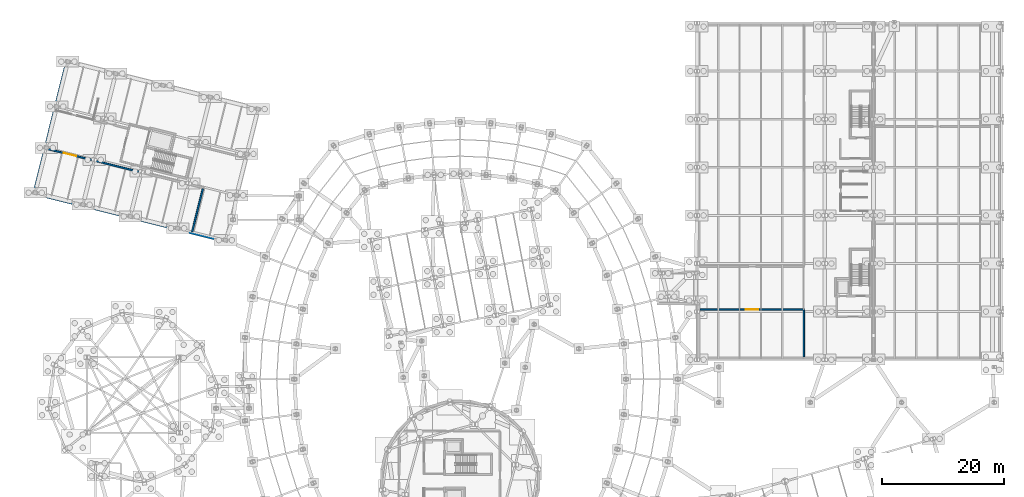
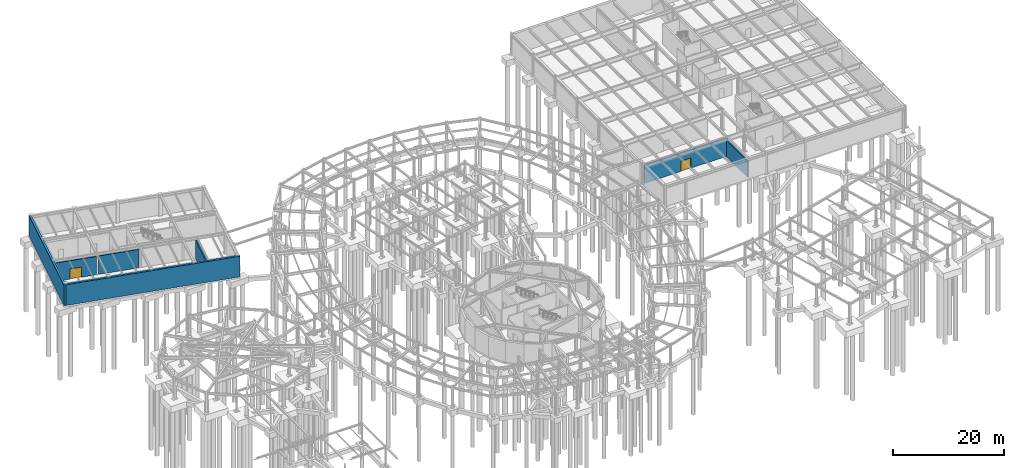
# One storey, part 42 of 50: 7 walls, 2 doors, 2 openings.
"""IFC4 building model written with IfcOpenShell, lengths in metres."""

from ifc_helpers import new_model, si_unit, direction, frame, frame_2d, origin, place, context, subcontext, project, spatial, rectangle, extrude, material, layer, layer_set, type_object, element, fill, save


model = new_model("IFC4")

# Units and contexts
model_context = context("Model", 3, precision=1e-05, world=origin(), true_north=direction((0.0, 1.0)))
body_context = subcontext(model_context, "Body", "Model", "MODEL_VIEW")
ifc_project = project(units=[si_unit("LENGTHUNIT", "METRE"), si_unit("AREAUNIT", "SQUARE_METRE"), si_unit("VOLUMEUNIT", "CUBIC_METRE"), si_unit("PLANEANGLEUNIT", "RADIAN"), si_unit("MASSUNIT", "GRAM", prefix="KILO")], contexts=[model_context])

# Site, building, storey
site_placement = place(None, origin())
site = spatial("IfcSite", under=ifc_project, at=site_placement, CompositionType="ELEMENT")
building_placement = place(site_placement, origin())
building = spatial("IfcBuilding", under=site, at=building_placement, Name="Varnklinge Art Gallery", CompositionType="ELEMENT")
storey_placement = place(building_placement, frame((0.0, 0.0, -4.800048828125)))
storey = spatial("IfcBuildingStorey", under=building, at=storey_placement, Name="B01", CompositionType="ELEMENT", Elevation=-4.800048828125)

# Wall, opening, door
ifc_material_1 = material(Name="Concrete C40/50", Category="concrete")
ifc_layer_1 = layer(ifc_material_1, 0.260009765625)
ifc_layer_set_1 = layer_set([ifc_layer_1], Name="Concrete C40/50")
wall_type_1 = type_object("IfcWallType", Name="IW-26", PredefinedType="PARTITIONING", material=ifc_layer_set_1)
wall_1_placement = place(storey_placement, frame((132.030029296875, 66.469970703125, 0.0), z_axis=(0.0, 0.0, 1.0), x_axis=(-1.0, 0.0, 0.0)))
wall_1 = element("IfcWall", 1, at=wall_1_placement, inside=storey, type_object=wall_type_1, Name="B01 Partition Wall IW-B01-0001", PredefinedType="PARTITIONING", context=body_context, shape_type="SweptSolid", body=[
    extrude(rectangle(XDim=17.166015625, YDim=0.260009765625, at=frame_2d((8.5830078125, 0.0))), origin(), (0.0, 0.0, 1.0), 3.97998046875),
])
opening_1_placement = place(wall_1_placement, frame((7.532958984375, 0.0, 0.0)))
opening_1 = element("IfcOpeningElement", 2, at=opening_1_placement, cuts=wall_1, Name="Opening D-B01-116", PredefinedType="OPENING", context=body_context, shape_type="SweptSolid", body=[
    extrude(rectangle(XDim=2.10009765625, YDim=2.25, at=frame_2d((1.050048828125, 1.125))), frame((0.0, 0.139892578125, 0.0), z_axis=(0.0, -1.0, 0.0), x_axis=(1.0, 0.0, 0.0)), (0.0, 0.0, 1.0), 0.280029296875),
])
ifc_material_2 = material(Name="Galvanised Fire-Rated Steel", Category="steel")
door_type = type_object("IfcDoorType", Name="ID-10", OperationType="DOUBLE_DOOR_SINGLE_SWING", PredefinedType="DOOR", material=ifc_material_2)
door_1_placement = place(opening_1_placement, origin())
door_1 = element("IfcDoor", 3, at=door_1_placement, inside=storey, type_object=door_type, Name="B01 B01 Climate Art Store 1 South Door D-B01-116", OperationType="DOUBLE_DOOR_SINGLE_SWING", OverallHeight=2.25, OverallWidth=2.10009765625, PredefinedType="DOOR", context=body_context, shape_type="SweptSolid", body=[
    extrude(rectangle(XDim=2.10009765625, YDim=2.25, at=frame_2d((1.050048828125, 1.125))), frame((0.0, 0.02490234375, 0.0), z_axis=(0.0, -1.0, 0.0), x_axis=(1.0, 0.0, 0.0)), (0.0, 0.0, 1.0), 0.050048828125),
])
fill(opening_1, door_1)

# Wall
wall_2_placement = place(storey_placement, frame((131.969970703125, 58.6640625, 0.0), z_axis=(0.0, 0.0, 1.0), x_axis=(0.0, 1.0, 0.0)))
element("IfcWall", 4, at=wall_2_placement, inside=storey, type_object=wall_type_1, Name="B01 Partition Wall IW-B01-0004", PredefinedType="PARTITIONING", context=body_context, shape_type="SweptSolid", body=[
    extrude(rectangle(XDim=7.660888671875, YDim=0.260009765625, at=frame_2d((3.83056640625, 0.0))), origin(), (0.0, 0.0, 1.0), 3.530029296875),
])

# Wall, opening, door
wall_3_placement = place(storey_placement, frame((15.1640625, 90.9619140625, 0.0), z_axis=(0.0, 0.0, 1.0), x_axis=(-0.970289717068, 0.24194599594, 0.0)))
wall_3 = element("IfcWall", 5, at=wall_3_placement, inside=storey, type_object=wall_type_1, Name="B01 Partition Wall IW-B01-0026", PredefinedType="PARTITIONING", context=body_context, shape_type="SweptSolid", body=[
    extrude(rectangle(XDim=7.697265625, YDim=0.260009765625, at=frame_2d((3.8486328125, 0.0))), origin(), (0.0, 0.0, 1.0), 4.0400390625),
])
opening_2_placement = place(wall_3_placement, frame((2.798583984375, 0.0, 0.0)))
opening_2 = element("IfcOpeningElement", 6, at=opening_2_placement, cuts=wall_3, Name="Opening D-B01-128", PredefinedType="OPENING", context=body_context, shape_type="SweptSolid", body=[
    extrude(rectangle(XDim=2.10009765625, YDim=2.25, at=frame_2d((1.050048828125, 1.125))), frame((0.0, 0.139892578125, 0.0), z_axis=(0.0, -1.0, 0.0), x_axis=(1.0, 0.0, 0.0)), (0.0, 0.0, 1.0), 0.280029296875),
])
door_2_placement = place(opening_2_placement, origin())
door_2 = element("IfcDoor", 7, at=door_2_placement, inside=storey, type_object=door_type, Name="B01 B01 Climate Art Store 2 Paintings Door D-B01-128", OperationType="DOUBLE_DOOR_SINGLE_SWING", OverallHeight=2.25, OverallWidth=2.10009765625, PredefinedType="DOOR", context=body_context, shape_type="SweptSolid", body=[
    extrude(rectangle(XDim=2.10009765625, YDim=2.25, at=frame_2d((1.050048828125, 1.125))), frame((0.0, 0.02490234375, 0.0), z_axis=(0.0, -1.0, 0.0), x_axis=(1.0, 0.0, 0.0)), (0.0, 0.0, 1.0), 0.050048828125),
])
fill(opening_2, door_2)

# Walls
wall_4_placement = place(storey_placement, frame((22.926513671875, 89.026611328125, 0.0), z_axis=(0.0, 0.0, 1.0), x_axis=(-0.970297308228, 0.24191555065, 0.0)))
element("IfcWall", 8, at=wall_4_placement, inside=storey, type_object=wall_type_1, Name="B01 Partition Wall IW-B01-0027", PredefinedType="PARTITIONING", context=body_context, shape_type="SweptSolid", body=[
    extrude(rectangle(XDim=7.59716796875, YDim=0.260009765625, at=frame_2d((3.798583984375, 0.0))), origin(), (0.0, 0.0, 1.0), 4.0400390625),
])
wall_5_placement = place(storey_placement, frame((31.4794921875, 79.22021484375, 0.0), z_axis=(0.0, 0.0, 1.0), x_axis=(0.241906112163, 0.970299661392, 0.0)))
element("IfcWall", 9, at=wall_5_placement, inside=storey, type_object=wall_type_1, Name="B01 Partition Wall IW-B01-0032", PredefinedType="PARTITIONING", context=body_context, shape_type="SweptSolid", body=[
    extrude(rectangle(XDim=7.30078125, YDim=0.260009765625, at=frame_2d((3.650390625, 0.0))), origin(), (0.0, 0.0, 1.0), 4.0400390625),
])
ifc_material_3 = material(Name="Concrete C40/50", Category="concrete")
ifc_layer_2 = layer(ifc_material_3, 0.419921875)
ifc_layer_set_2 = layer_set([ifc_layer_2], Name="Concrete C40/50")
wall_type_2 = type_object("IfcWallType", Name="RW-42", PredefinedType="USERDEFINED", material=ifc_layer_set_2)
wall_6_placement = place(storey_placement, frame((5.411865234375, 85.282470703125, 0.0), z_axis=(0.0, 0.0, 1.0), x_axis=(0.241923066972, 0.970295434219, 0.0)))
element("IfcWall", 10, at=wall_6_placement, inside=storey, type_object=wall_type_2, Name="B01 Exterior Wall RW-V5-B01-01", ObjectType="RETAINING WALL", PredefinedType="USERDEFINED", context=body_context, shape_type="SweptSolid", body=[
    extrude(rectangle(XDim=22.7900390625, YDim=0.419921875, at=frame_2d((11.39501953125, 0.0))), origin(), (0.0, 0.0, 1.0), 4.550048828125),
])
wall_7_placement = place(storey_placement, frame((37.278564453125, 77.5537109375, 0.0), z_axis=(0.0, 0.0, 1.0), x_axis=(-0.970295598121, 0.241922409599, 0.0)))
element("IfcWall", 11, at=wall_7_placement, inside=storey, type_object=wall_type_2, Name="B01 Exterior Wall RW-V5-B01-04", ObjectType="RETAINING WALL", PredefinedType="USERDEFINED", context=body_context, shape_type="SweptSolid", body=[
    extrude(rectangle(XDim=32.7900390625, YDim=0.419921875, at=frame_2d((16.39501953125, 0.0))), origin(), (0.0, 0.0, 1.0), 4.550048828125),
])

save(model, "model.ifc")
